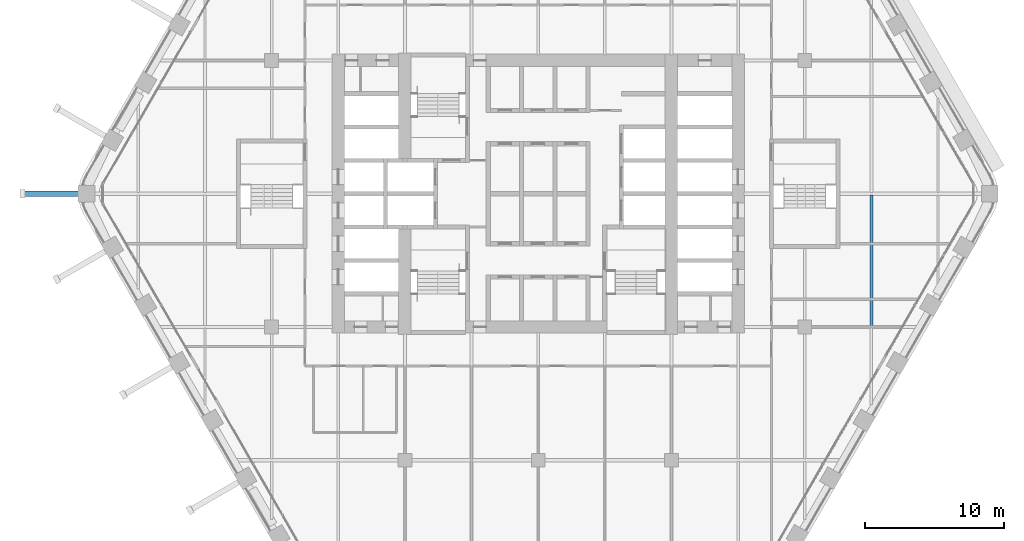
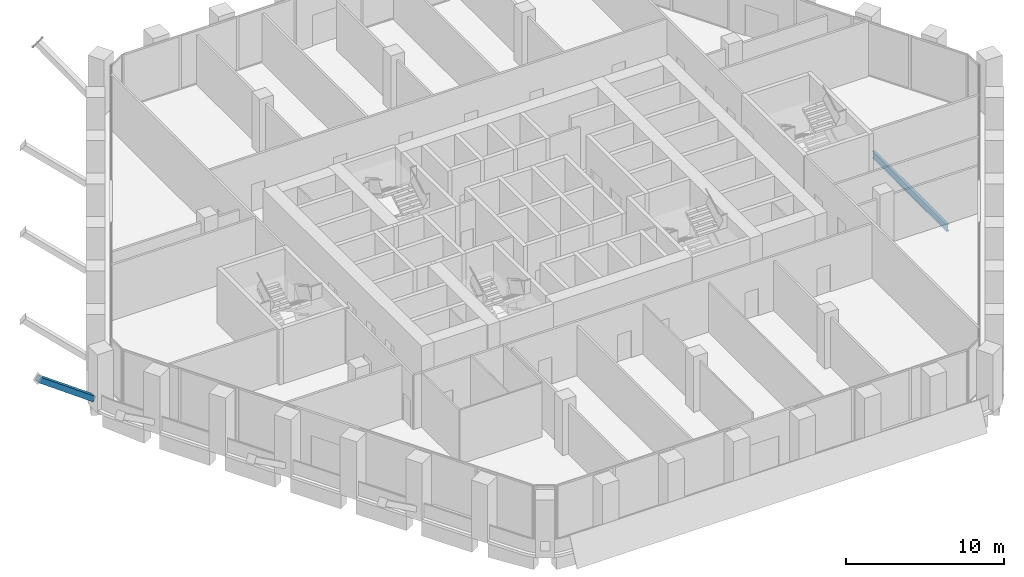
# One storey, part 6 of 27: 1 beam, 1 member.
"""IFC4 building model written with IfcOpenShell, lengths in metres."""

from ifc_helpers import new_model, si_unit, direction, frame, origin, origin_2d, place, context, subcontext, project, spatial, hollow_rectangle, i_section, extrude, material, material_profile, profile_set, type_object, element, save


model = new_model("IFC4")

# Units and contexts
model_context = context("Model", 3, precision=1e-05, world=origin(), true_north=direction((0.0, 1.0)))
body_context = subcontext(model_context, "Body", "Model", "MODEL_VIEW")
ifc_project = project(units=[si_unit("LENGTHUNIT", "METRE"), si_unit("AREAUNIT", "SQUARE_METRE"), si_unit("VOLUMEUNIT", "CUBIC_METRE"), si_unit("PLANEANGLEUNIT", "RADIAN"), si_unit("MASSUNIT", "GRAM", prefix="KILO")], contexts=[model_context])

# Site, building, storey
site_placement = place(None, origin())
site = spatial("IfcSite", under=ifc_project, at=site_placement, CompositionType="ELEMENT")
building_placement = place(site_placement, origin())
building = spatial("IfcBuilding", under=site, at=building_placement, Name="Kolab Exchange Tower", CompositionType="ELEMENT")
storey_placement = place(building_placement, frame((0.0, 0.0, 118.39990234375)))
storey = spatial("IfcBuildingStorey", under=building, at=storey_placement, Name="L23", CompositionType="ELEMENT", Elevation=118.39990234375)

# Beam
ifc_material = material(Name="Steel S355", Category="steel")
ifc_material_profile_1 = material_profile(ifc_material, i_section(OverallWidth=0.208984375, OverallDepth=0.532958984375, WebThickness=0.01025390625, FlangeThickness=0.015625, at=origin_2d()), Name="W530X92")
ifc_profile_set_1 = profile_set([ifc_material_profile_1], Name="Steel S355")
beam_type = type_object("IfcBeamType", Name="FLOOR BEAM W530X92", PredefinedType="BEAM", material=ifc_profile_set_1)
beam_placement = place(storey_placement, frame((24.0, -9.52587890625, -0.46630859375), z_axis=(0.0, 1.0, 0.0), x_axis=(-1.0, 0.0, 0.0)))
element("IfcBeam", 1, at=beam_placement, inside=storey, type_object=beam_type, Name="beam/L23/fr/047", PredefinedType="BEAM", context=body_context, shape_type="SweptSolid", body=[
    extrude(i_section(OverallWidth=0.208984375, OverallDepth=0.532958984375, WebThickness=0.01025390625, FlangeThickness=0.015625, at=origin_2d()), origin(), (0.0, 0.0, 1.0), 9.43896484375),
])

# Member
ifc_material_profile_2 = material_profile(ifc_material, hollow_rectangle(XDim=0.39990234375, YDim=0.39990234375, WallThickness=0.02001953125, at=origin_2d()), Name="HSS400X400X20")
ifc_profile_set_2 = profile_set([ifc_material_profile_2], Name="Steel S355")
member_type = type_object("IfcMemberType", Name="LEDGE STRUT HSS400X400X20", PredefinedType="STRUT", material=ifc_profile_set_2)
member_placement = place(storey_placement, frame((-33.095947265625, 0.0, 0.60009765625), z_axis=(-0.810663726645, 0.0, 0.585512017214), x_axis=(0.0, -1.0, 0.0)))
element("IfcMember", 2, at=member_placement, inside=storey, type_object=member_type, Name="mem/L23/ledge/strut-4", PredefinedType="STRUT", context=body_context, shape_type="SweptSolid", body=[
    extrude(hollow_rectangle(XDim=0.39990234375, YDim=0.39990234375, WallThickness=0.02001953125, at=origin_2d()), origin(), (0.0, 0.0, 1.0), 4.983642578125),
])

save(model, "model.ifc")
